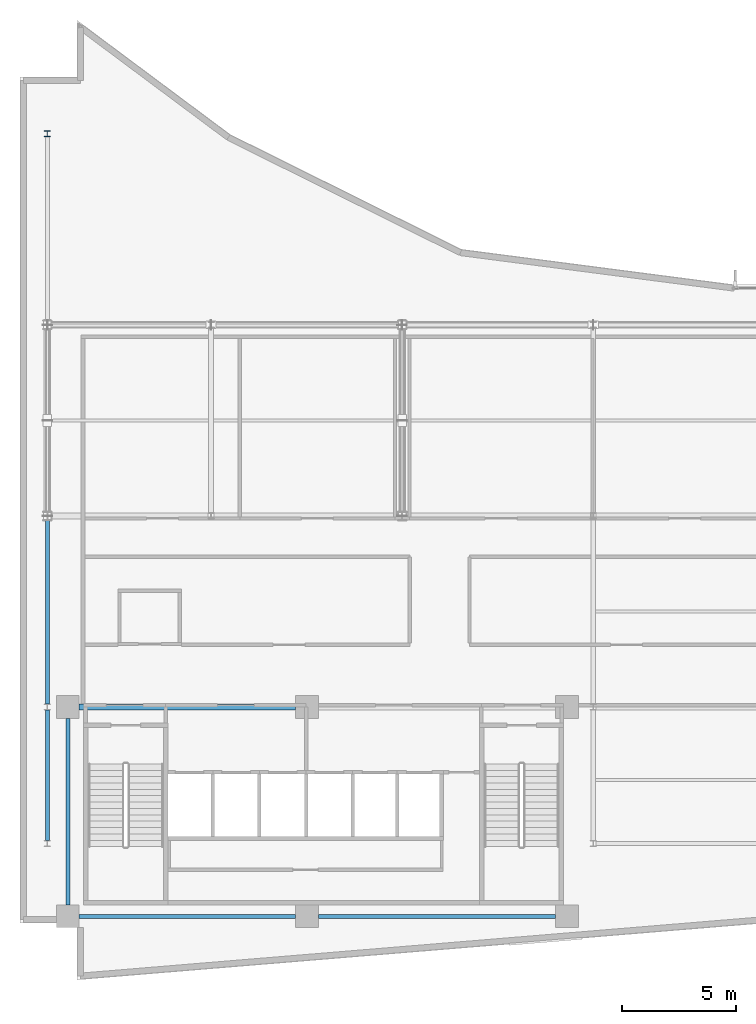
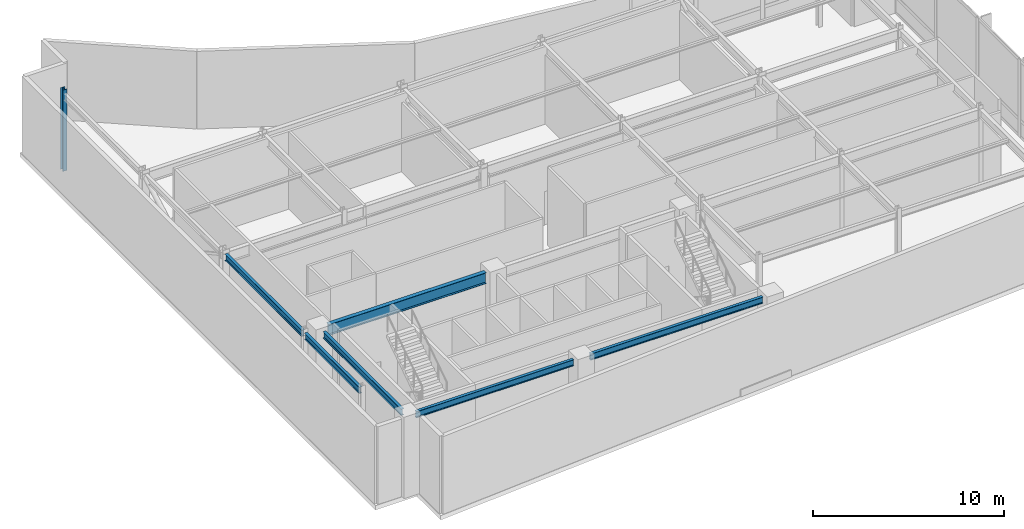
# One storey, part 3 of 15: 6 beams, 1 column.
"""IFC4 building model written with IfcOpenShell, lengths in metres."""

from ifc_helpers import new_model, si_unit, direction, frame, origin, origin_2d, place, context, subcontext, project, spatial, i_section, extrude, material, material_profile, profile_set, type_object, element, save


model = new_model("IFC4")

# Units and contexts
model_context = context("Model", 3, precision=1e-05, world=origin(), true_north=direction((0.0, 1.0)))
body_context = subcontext(model_context, "Body", "Model", "MODEL_VIEW")
ifc_project = project(units=[si_unit("LENGTHUNIT", "METRE"), si_unit("AREAUNIT", "SQUARE_METRE"), si_unit("VOLUMEUNIT", "CUBIC_METRE"), si_unit("PLANEANGLEUNIT", "RADIAN"), si_unit("MASSUNIT", "GRAM", prefix="KILO")], contexts=[model_context])

# Site, building, storey
site_placement = place(None, origin())
site = spatial("IfcSite", under=ifc_project, at=site_placement, CompositionType="ELEMENT")
building_placement = place(site_placement, origin())
building = spatial("IfcBuilding", under=site, at=building_placement, Name="Varnakote Quay Hospital", CompositionType="ELEMENT")
storey_placement = place(building_placement, frame((0.0, 0.0, 235.550048828125)))
storey = spatial("IfcBuildingStorey", under=building, at=storey_placement, Name="L58", CompositionType="ELEMENT", Elevation=235.550048828125)

# Column
ifc_material_1 = material(Name="Structural steel AS/NZS 3679.1 Grade 350 L0 (fy 340 MPa)", Category="steel")
ifc_material_profile_1 = material_profile(ifc_material_1, i_section(OverallWidth=0.256103515625, OverallDepth=0.260009765625, WebThickness=0.010498046875, FlangeThickness=0.017333984375, FilletRadius=0.0126953125, at=origin_2d()), Name="250UC89.5")
ifc_profile_set_1 = profile_set([ifc_material_profile_1], Name="Structural steel AS/NZS 3679.1 Grade 350 L0 (fy 340 MPa)")
column_type = type_object("IfcColumnType", Name="COL-STL-250UC89-5", PredefinedType="COLUMN", material=ifc_profile_set_1)
column_placement = place(storey_placement, frame((1.199951171875, 37.199951171875, 0.0), z_axis=(0.0, 0.0, 1.0), x_axis=(1.0, 0.0, 0.0)))
element("IfcColumn", 1, at=column_placement, inside=storey, type_object=column_type, Name="L58 Structural Column C-1-37", PredefinedType="COLUMN", context=body_context, shape_type="SweptSolid", body=[
    extrude(i_section(OverallWidth=0.256103515625, OverallDepth=0.260009765625, WebThickness=0.010498046875, FlangeThickness=0.017333984375, FilletRadius=0.0126953125, at=origin_2d()), origin(), (0.0, 0.0, 1.0), 5.199951171875),
])

# Beams
ifc_material_2 = material(Name="Structural steel AS/NZS 3678 Grade 350 (fy 340 MPa)", Category="steel")
ifc_material_profile_2 = material_profile(ifc_material_2, i_section(OverallWidth=0.25, OverallDepth=0.699951171875, WebThickness=0.010009765625, FlangeThickness=0.02001953125, at=origin_2d()), Name="700WB130")
ifc_profile_set_2 = profile_set([ifc_material_profile_2], Name="Structural steel AS/NZS 3678 Grade 350 (fy 340 MPa)")
beam_type_1 = type_object("IfcBeamType", Name="BM-STL-700WB130", PredefinedType="BEAM", material=ifc_profile_set_2)
beam_1_placement = place(storey_placement, frame((2.60009765625, 12.0, 4.60986328125), z_axis=(1.0, 0.0, 0.0), x_axis=(0.0, 1.0, 0.0)))
element("IfcBeam", 2, at=beam_1_placement, inside=storey, type_object=beam_type_1, Name="L58 Primary Floor Beam", PredefinedType="BEAM", context=body_context, shape_type="SweptSolid", body=[
    extrude(i_section(OverallWidth=0.25, OverallDepth=0.699951171875, WebThickness=0.010009765625, FlangeThickness=0.02001953125, at=origin_2d()), origin(), (0.0, 0.0, 1.0), 9.52001953125),
])
ifc_material_3 = material(Name="Structural steel AS/NZS 3679.1 Grade 350 L0 (fy 340 MPa)", Category="steel")
ifc_material_profile_3 = material_profile(ifc_material_3, i_section(OverallWidth=0.177978515625, OverallDepth=0.403076171875, WebThickness=0.007568359375, FlangeThickness=0.010986328125, FilletRadius=0.011474609375, at=origin_2d()), Name="410UB53.7")
ifc_profile_set_3 = profile_set([ifc_material_profile_3], Name="Structural steel AS/NZS 3679.1 Grade 350 L0 (fy 340 MPa)")
beam_type_2 = type_object("IfcBeamType", Name="SPN-STL-410UB53-7", PredefinedType="SPANDREL", material=ifc_profile_set_3)
beam_2_placement = place(storey_placement, frame((1.199951171875, 6.1298828125, 4.758544921875), z_axis=(0.0, 1.0, 0.0), x_axis=(-1.0, 0.0, 0.0)))
element("IfcBeam", 3, at=beam_2_placement, inside=storey, type_object=beam_type_2, Name="L58 Perimeter Spandrel Beam", PredefinedType="SPANDREL", context=body_context, shape_type="SweptSolid", body=[
    extrude(i_section(OverallWidth=0.177978515625, OverallDepth=0.403076171875, WebThickness=0.007568359375, FlangeThickness=0.010986328125, FilletRadius=0.011474609375, at=origin_2d()), origin(), (0.0, 0.0, 1.0), 5.740234375),
])
beam_3_placement = place(storey_placement, frame((1.199951171875, 12.1298828125, 4.758544921875), z_axis=(0.0, 1.0, 0.0), x_axis=(-1.0, 0.0, 0.0)))
element("IfcBeam", 4, at=beam_3_placement, inside=storey, type_object=beam_type_2, Name="L58 Perimeter Spandrel Beam", PredefinedType="SPANDREL", context=body_context, shape_type="SweptSolid", body=[
    extrude(i_section(OverallWidth=0.177978515625, OverallDepth=0.403076171875, WebThickness=0.007568359375, FlangeThickness=0.010986328125, FilletRadius=0.011474609375, at=origin_2d()), origin(), (0.0, 0.0, 1.0), 8.068115234375),
])
beam_4_placement = place(storey_placement, frame((2.10009765625, 3.300048828125, 4.758544921875), z_axis=(0.0, 1.0, 0.0), x_axis=(-1.0, 0.0, 0.0)))
element("IfcBeam", 5, at=beam_4_placement, inside=storey, type_object=beam_type_2, Name="L58 Perimeter Spandrel Beam", PredefinedType="SPANDREL", context=body_context, shape_type="SweptSolid", body=[
    extrude(i_section(OverallWidth=0.177978515625, OverallDepth=0.403076171875, WebThickness=0.007568359375, FlangeThickness=0.010986328125, FilletRadius=0.011474609375, at=origin_2d()), origin(), (0.0, 0.0, 1.0), 8.199951171875),
])
ifc_material_4 = material(Name="Structural steel AS/NZS 3679.1 Grade 350 L0 (fy 340 MPa)", Category="steel")
ifc_material_profile_4 = material_profile(ifc_material_4, i_section(OverallWidth=0.177978515625, OverallDepth=0.406005859375, WebThickness=0.0078125, FlangeThickness=0.0126953125, FilletRadius=0.011474609375, at=origin_2d()), Name="410UB59.7")
ifc_profile_set_4 = profile_set([ifc_material_profile_4], Name="Structural steel AS/NZS 3679.1 Grade 350 L0 (fy 340 MPa)")
beam_type_3 = type_object("IfcBeamType", Name="SPN-STL-410UB59-7", PredefinedType="SPANDREL", material=ifc_profile_set_4)
beam_5_placement = place(storey_placement, frame((2.60009765625, 2.800048828125, 4.7568359375), z_axis=(1.0, 0.0, 0.0), x_axis=(0.0, 1.0, 0.0)))
element("IfcBeam", 6, at=beam_5_placement, inside=storey, type_object=beam_type_3, Name="L58 Perimeter Spandrel Beam", PredefinedType="SPANDREL", context=body_context, shape_type="SweptSolid", body=[
    extrude(i_section(OverallWidth=0.177978515625, OverallDepth=0.406005859375, WebThickness=0.0078125, FlangeThickness=0.0126953125, FilletRadius=0.011474609375, at=origin_2d()), origin(), (0.0, 0.0, 1.0), 9.52001953125),
])
beam_6_placement = place(storey_placement, frame((13.1201171875, 2.800048828125, 4.7568359375), z_axis=(1.0, 0.0, 0.0), x_axis=(0.0, 1.0, 0.0)))
element("IfcBeam", 7, at=beam_6_placement, inside=storey, type_object=beam_type_3, Name="L58 Perimeter Spandrel Beam", PredefinedType="SPANDREL", context=body_context, shape_type="SweptSolid", body=[
    extrude(i_section(OverallWidth=0.177978515625, OverallDepth=0.406005859375, WebThickness=0.0078125, FlangeThickness=0.0126953125, FilletRadius=0.011474609375, at=origin_2d()), origin(), (0.0, 0.0, 1.0), 10.429931640625),
])

save(model, "model.ifc")
